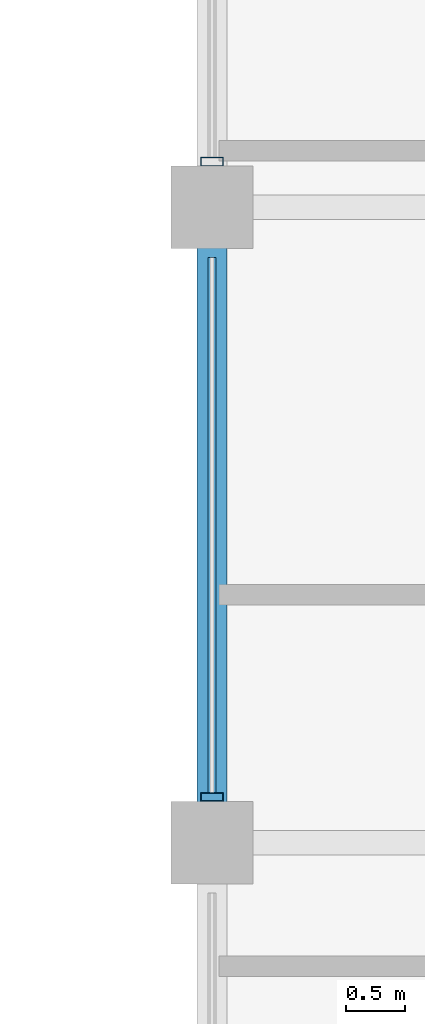
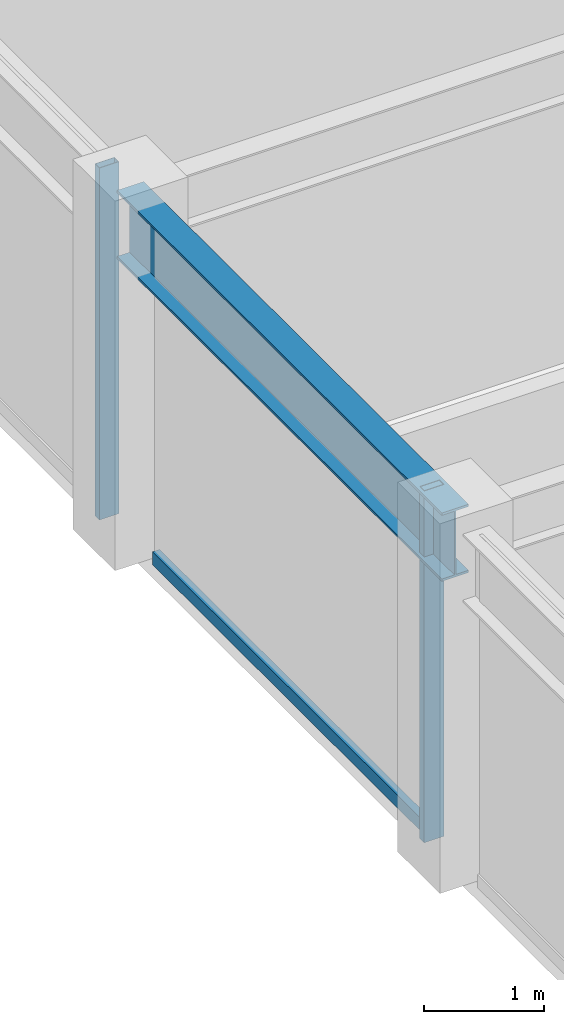
# One storey, part 5 of 31: 3 members, 1 beam, 1 element without a shape of its own.
"""IFC4 building model written with IfcOpenShell, lengths in metres."""

from ifc_helpers import new_model, si_unit, direction, frame, origin, origin_2d, place, context, subcontext, project, spatial, hollow_rectangle, i_section, extrude, material, layer, layer_set, material_profile, profile_set, type_object, element, aggregate, save


model = new_model("IFC4")

# Units and contexts
model_context = context("Model", 3, precision=1e-05, world=origin(), true_north=direction((0.0, 1.0)))
body_context = subcontext(model_context, "Body", "Model", "MODEL_VIEW")
ifc_project = project(units=[si_unit("LENGTHUNIT", "METRE"), si_unit("AREAUNIT", "SQUARE_METRE"), si_unit("VOLUMEUNIT", "CUBIC_METRE"), si_unit("PLANEANGLEUNIT", "RADIAN"), si_unit("MASSUNIT", "GRAM", prefix="KILO")], contexts=[model_context])

# Site, building, storey
site_placement = place(None, origin())
site = spatial("IfcSite", under=ifc_project, at=site_placement, CompositionType="ELEMENT")
building_placement = place(site_placement, origin())
building = spatial("IfcBuilding", under=site, at=building_placement, Name="Surkhivell Harbour Commons", CompositionType="ELEMENT")
storey_placement = place(building_placement, frame((0.0, 0.0, 266.25)))
storey = spatial("IfcBuildingStorey", under=building, at=storey_placement, Name="L69", CompositionType="ELEMENT", Elevation=266.25)

# Beam
ifc_material_1 = material(Name="Steel S355", Category="steel")
ifc_material_profile_1 = material_profile(ifc_material_1, i_section(OverallWidth=0.256103515625, OverallDepth=0.693115234375, WebThickness=0.014404296875, FlangeThickness=0.023681640625, at=origin_2d()), Name="UB686x254x170")
ifc_profile_set_1 = profile_set([ifc_material_profile_1], Name="Steel S355")
beam_type = type_object("IfcBeamType", Name="BM-SPN-686", PredefinedType="SPANDREL", material=ifc_profile_set_1)
beam_placement = place(storey_placement, frame((-27.0, -5.39990234375, 3.223388671875), z_axis=(0.0, 1.0, 0.0), x_axis=(-1.0, 0.0, 0.0)))
element("IfcBeam", 1, at=beam_placement, inside=storey, type_object=beam_type, Name="L69 Tube Spandrel (-27.0,-5.4)", PredefinedType="SPANDREL", context=body_context, shape_type="SweptSolid", body=[
    extrude(i_section(OverallWidth=0.256103515625, OverallDepth=0.693115234375, WebThickness=0.014404296875, FlangeThickness=0.023681640625, at=origin_2d()), origin(), (0.0, 0.0, 1.0), 5.39990234375),
])

# Curtain wall, members
ifc_material_2 = material(Name="Anodised pale-metal aluminium and insulated glazing", Category="aluminium")
ifc_layer = layer(ifc_material_2, 0.175048828125)
ifc_layer_set = layer_set([ifc_layer], Name="Anodised pale-metal aluminium and insulated glazing")
curtain_wall_type = type_object("IfcCurtainWallType", Name="CW-SYS-Z4", PredefinedType="NOTDEFINED", material=ifc_layer_set)
curtain_wall_placement = place(storey_placement, origin())
curtain_wall = element("IfcCurtainWall", 2, at=curtain_wall_placement, inside=storey, type_object=curtain_wall_type, Name="L69 Curtain Wall CW-L69-E12R1S1", PredefinedType="NOTDEFINED")
ifc_material_3 = material(Name="Anodised pale-metal aluminium alloy 6063-T6", Category="aluminium")
ifc_material_profile_2 = material_profile(ifc_material_3, hollow_rectangle(XDim=0.074951171875, YDim=0.18994140625, WallThickness=0.00390625, at=origin_2d()), Name="ALU-MULL-75x190")
ifc_profile_set_2 = profile_set([ifc_material_profile_2], Name="Anodised pale-metal aluminium alloy 6063-T6")
member_type_1 = type_object("IfcMemberType", Name="CWM-190", PredefinedType="MULLION", material=ifc_profile_set_2)
member_1_placement = place(storey_placement, frame((-27.0, -5.010498046875, 0.0), z_axis=(0.0, 0.0, 1.0), x_axis=(0.0, 1.0, 0.0)))
member_1 = element("IfcMember", 3, at=member_1_placement, type_object=member_type_1, Name="CW-Z4 mullion 2", PredefinedType="MULLION", context=body_context, shape_type="SweptSolid", body=[
    extrude(hollow_rectangle(XDim=0.074951171875, YDim=0.18994140625, WallThickness=0.00390625, at=origin_2d()), origin(), (0.0, 0.0, 1.0), 3.570068359375),
])
member_2_placement = place(storey_placement, frame((-27.0, 0.389404296875, 0.0), z_axis=(0.0, 0.0, 1.0), x_axis=(0.0, 1.0, 0.0)))
member_2 = element("IfcMember", 4, at=member_2_placement, type_object=member_type_1, Name="CW-Z4 mullion 3", PredefinedType="MULLION", context=body_context, shape_type="SweptSolid", body=[
    extrude(hollow_rectangle(XDim=0.074951171875, YDim=0.18994140625, WallThickness=0.00390625, at=origin_2d()), origin(), (0.0, 0.0, 1.0), 3.570068359375),
])
ifc_material_4 = material(Name="Champagne anodised aluminium alloy 6063-T6", Category="aluminium")
ifc_material_profile_3 = material_profile(ifc_material_4, hollow_rectangle(XDim=0.070068359375, YDim=0.1298828125, WallThickness=0.00341796875, at=origin_2d()), Name="ALU-TRAN-70x130")
ifc_profile_set_3 = profile_set([ifc_material_profile_3], Name="Champagne anodised aluminium alloy 6063-T6")
member_type_2 = type_object("IfcMemberType", Name="CWT-130", PredefinedType="USERDEFINED", material=ifc_profile_set_3)
member_3_placement = place(storey_placement, frame((-27.0, -4.972900390625, 0.06494140625), z_axis=(0.0, 1.0, 0.0), x_axis=(-1.0, 0.0, 0.0)))
member_3 = element("IfcMember", 5, at=member_3_placement, type_object=member_type_2, Name="CW-Z4 transom 2.1", ObjectType="TRANSOM", PredefinedType="USERDEFINED", context=body_context, shape_type="SweptSolid", body=[
    extrude(hollow_rectangle(XDim=0.070068359375, YDim=0.1298828125, WallThickness=0.00341796875, at=origin_2d()), origin(), (0.0, 0.0, 1.0), 4.5458984375),
])
aggregate(curtain_wall, [member_1, member_3, member_2])

save(model, "model.ifc")
